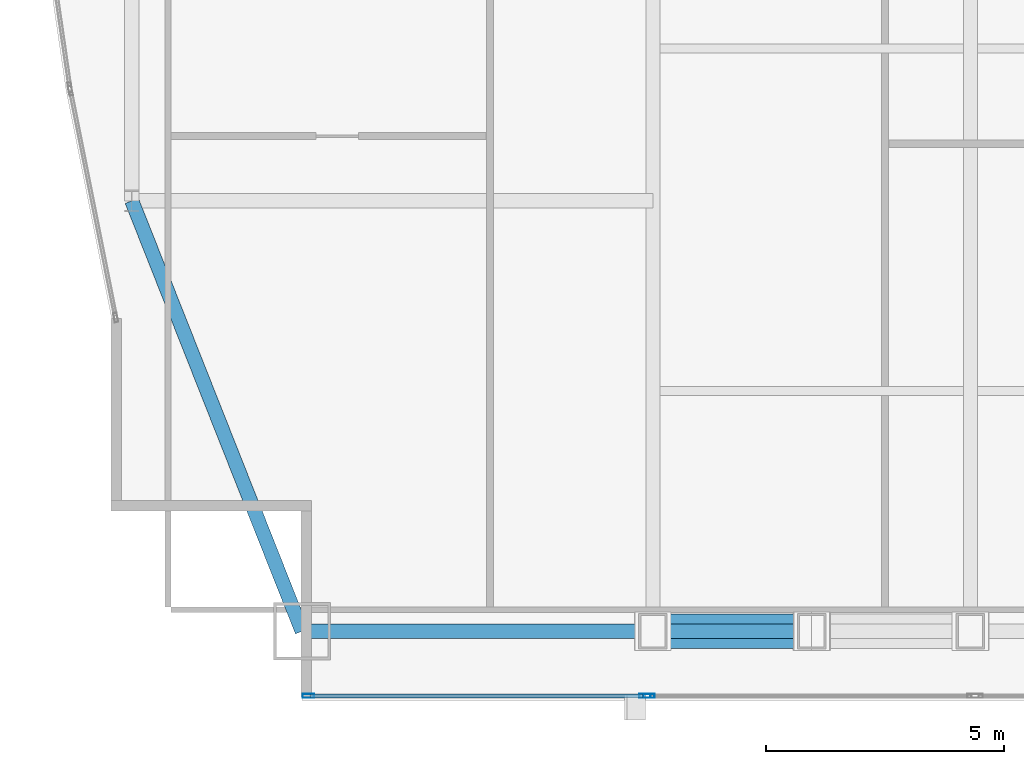
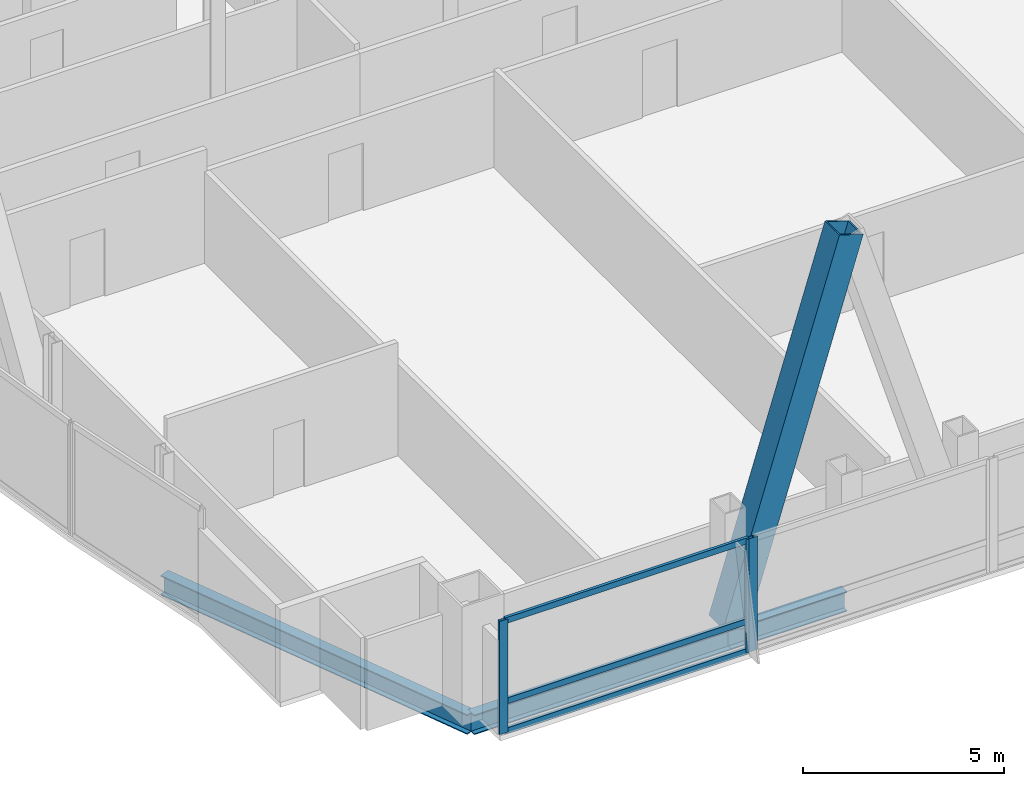
# One storey, part 5 of 32: 7 members, 3 beams, 2 elements without a shape of their own.
"""IFC4 building model written with IfcOpenShell, lengths in metres."""

from ifc_helpers import new_model, si_unit, direction, frame, origin, origin_2d, place, context, subcontext, project, spatial, hollow_rectangle, i_section, extrude, material, material_profile, profile_set, type_object, element, aggregate, save


model = new_model("IFC4")

# Units and contexts
model_context = context("Model", 3, precision=1e-05, world=origin(), true_north=direction((0.0, 1.0)))
body_context = subcontext(model_context, "Body", "Model", "MODEL_VIEW")
ifc_project = project(units=[si_unit("LENGTHUNIT", "METRE"), si_unit("AREAUNIT", "SQUARE_METRE"), si_unit("VOLUMEUNIT", "CUBIC_METRE"), si_unit("PLANEANGLEUNIT", "RADIAN"), si_unit("MASSUNIT", "GRAM", prefix="KILO")], contexts=[model_context])

# Site, building, storey
site_placement = place(None, origin())
site = spatial("IfcSite", under=ifc_project, at=site_placement, CompositionType="ELEMENT")
building_placement = place(site_placement, origin())
building = spatial("IfcBuilding", under=site, at=building_placement, Name="Khoronbel Lancet Exchange", CompositionType="ELEMENT")
storey_placement = place(building_placement, frame((0.0, 0.0, 221.0)))
storey = spatial("IfcBuildingStorey", under=building, at=storey_placement, Name="L56", CompositionType="ELEMENT", Elevation=221.0)

# Beams
ifc_material_1 = material(Name="Steel S355", Category="steel")
ifc_material_profile_1 = material_profile(ifc_material_1, i_section(OverallWidth=0.300048828125, OverallDepth=0.60009765625, WebThickness=0.015380859375, FlangeThickness=0.030029296875, at=origin_2d()), Name="HEB 600")
ifc_profile_set_1 = profile_set([ifc_material_profile_1], Name="Steel S355")
beam_type = type_object("IfcBeamType", Name="BM-BSP2", PredefinedType="SPANDREL", material=ifc_profile_set_1)
beam_1_placement = place(storey_placement, frame((10.85009765625, 10.14990234375, -0.4599609375), z_axis=(1.0, 0.0, 0.0), x_axis=(0.0, 1.0, 0.0)))
element("IfcBeam", 1, at=beam_1_placement, inside=storey, type_object=beam_type, Name="Level L56 perimeter spandrel beam SP01", PredefinedType="SPANDREL", context=body_context, shape_type="SweptSolid", body=[
    extrude(i_section(OverallWidth=0.300048828125, OverallDepth=0.60009765625, WebThickness=0.015380859375, FlangeThickness=0.030029296875, at=origin_2d()), origin(), (0.0, 0.0, 1.0), 7.375),
])
beam_2_placement = place(storey_placement, frame((18.22509765625, 10.14990234375, -0.4599609375), z_axis=(1.0, 0.0, 0.0), x_axis=(0.0, 1.0, 0.0)))
element("IfcBeam", 2, at=beam_2_placement, inside=storey, type_object=beam_type, Name="Level L56 perimeter spandrel beam SP02", PredefinedType="SPANDREL", context=body_context, shape_type="SweptSolid", body=[
    extrude(i_section(OverallWidth=0.300048828125, OverallDepth=0.60009765625, WebThickness=0.015380859375, FlangeThickness=0.030029296875, at=origin_2d()), origin(), (0.0, 0.0, 1.0), 3.33740234375),
])
beam_3_placement = place(storey_placement, frame((7.27001953125, 19.199951171875, -0.4599609375), z_axis=(0.367850095026, -0.92988510451, 0.0), x_axis=(0.92988510451, 0.367850095026, 0.0)))
element("IfcBeam", 3, at=beam_3_placement, inside=storey, type_object=beam_type, Name="Level L56 perimeter spandrel beam SP21", PredefinedType="SPANDREL", context=body_context, shape_type="SweptSolid", body=[
    extrude(i_section(OverallWidth=0.300048828125, OverallDepth=0.60009765625, WebThickness=0.015380859375, FlangeThickness=0.030029296875, at=origin_2d()), origin(), (0.0, 0.0, 1.0), 9.732421875),
])

# Curtain wall, members
ifc_material_2 = material(Name="Low-E Solar Control Insulating Glass", Category="glass")
curtain_wall_type = type_object("IfcCurtainWallType", Name="CW-3", PredefinedType="NOTDEFINED", material=ifc_material_2)
curtain_wall_1_placement = place(storey_placement, origin())
curtain_wall_1 = element("IfcCurtainWall", 4, at=curtain_wall_1_placement, inside=storey, type_object=curtain_wall_type, Name="Unitised curtain wall CW-L56-SWV", PredefinedType="NOTDEFINED")
ifc_material_3 = material(Name="Bronze-Anodised Aluminium 6063-T6", Category="aluminium")
ifc_material_profile_2 = material_profile(ifc_material_3, hollow_rectangle(XDim=0.0849609375, YDim=0.239990234375, WallThickness=0.006103515625, at=origin_2d()), Name="ALU MULLION 85x240")
ifc_profile_set_2 = profile_set([ifc_material_profile_2], Name="Bronze-Anodised Aluminium 6063-T6")
member_type_1 = type_object("IfcMemberType", Name="MEM-CWM1", PredefinedType="MULLION", material=ifc_profile_set_2)
member_1_placement = place(storey_placement, frame((10.982421875, 8.7900390625, 0.0), z_axis=(0.0, 0.0, 1.0), x_axis=(0.0, 1.0, 0.0)))
member_1 = element("IfcMember", 5, at=member_1_placement, type_object=member_type_1, Name="CW3 mullion 1", PredefinedType="MULLION", context=body_context, shape_type="SweptSolid", body=[
    extrude(hollow_rectangle(XDim=0.0849609375, YDim=0.239990234375, WallThickness=0.006103515625, at=origin_2d()), origin(), (0.0, 0.0, 1.0), 3.43994140625),
])
member_2_placement = place(storey_placement, frame((18.0576171875, 8.7900390625, 0.0), z_axis=(0.0, 0.0, 1.0), x_axis=(0.0, 1.0, 0.0)))
member_2 = element("IfcMember", 6, at=member_2_placement, type_object=member_type_1, Name="CW3 mullion 2", PredefinedType="MULLION", context=body_context, shape_type="SweptSolid", body=[
    extrude(hollow_rectangle(XDim=0.0849609375, YDim=0.239990234375, WallThickness=0.006103515625, at=origin_2d()), origin(), (0.0, 0.0, 1.0), 3.43994140625),
])

# Curtain wall, member
curtain_wall_2_placement = place(storey_placement, origin())
curtain_wall_2 = element("IfcCurtainWall", 7, at=curtain_wall_2_placement, inside=storey, type_object=curtain_wall_type, Name="Unitised curtain wall CW-L56-SWB", PredefinedType="NOTDEFINED")
member_3_placement = place(storey_placement, frame((18.142578125, 8.7900390625, 0.0), z_axis=(0.0, 0.0, 1.0), x_axis=(0.0, 1.0, 0.0)))
member_3 = element("IfcMember", 8, at=member_3_placement, type_object=member_type_1, Name="CW3 mullion 1", PredefinedType="MULLION", context=body_context, shape_type="SweptSolid", body=[
    extrude(hollow_rectangle(XDim=0.0849609375, YDim=0.239990234375, WallThickness=0.006103515625, at=origin_2d()), origin(), (0.0, 0.0, 1.0), 3.43994140625),
])
aggregate(curtain_wall_2, [member_3])

# Member
ifc_material_profile_3 = material_profile(ifc_material_3, hollow_rectangle(XDim=0.0849609375, YDim=0.179931640625, WallThickness=0.0048828125, at=origin_2d()), Name="ALU TRANSOM 85x180")
ifc_profile_set_3 = profile_set([ifc_material_profile_3], Name="Bronze-Anodised Aluminium 6063-T6")
member_type_2 = type_object("IfcMemberType", Name="MEM-CWT1", PredefinedType="USERDEFINED", material=ifc_profile_set_3)
member_4_placement = place(storey_placement, frame((11.02490234375, 8.7900390625, 0.04248046875), z_axis=(1.0, 0.0, 0.0), x_axis=(0.0, 1.0, 0.0)))
member_4 = element("IfcMember", 9, at=member_4_placement, type_object=member_type_2, Name="CW3 transom 1.1", ObjectType="TRANSOM", PredefinedType="USERDEFINED", context=body_context, shape_type="SweptSolid", body=[
    extrude(hollow_rectangle(XDim=0.0849609375, YDim=0.179931640625, WallThickness=0.0048828125, at=origin_2d()), origin(), (0.0, 0.0, 1.0), 6.989990234375),
])

member_5_placement = place(storey_placement, frame((11.02490234375, 8.7900390625, 0.949951171875), z_axis=(1.0, 0.0, 0.0), x_axis=(0.0, 1.0, 0.0)))
member_5 = element("IfcMember", 10, at=member_5_placement, type_object=member_type_2, Name="CW3 transom 1.2", ObjectType="TRANSOM", PredefinedType="USERDEFINED", context=body_context, shape_type="SweptSolid", body=[
    extrude(hollow_rectangle(XDim=0.0849609375, YDim=0.179931640625, WallThickness=0.0048828125, at=origin_2d()), origin(), (0.0, 0.0, 1.0), 6.989990234375),
])

member_6_placement = place(storey_placement, frame((11.02490234375, 8.7900390625, 3.3974609375), z_axis=(1.0, 0.0, 0.0), x_axis=(0.0, 1.0, 0.0)))
member_6 = element("IfcMember", 11, at=member_6_placement, type_object=member_type_2, Name="CW3 transom 1.3", ObjectType="TRANSOM", PredefinedType="USERDEFINED", context=body_context, shape_type="SweptSolid", body=[
    extrude(hollow_rectangle(XDim=0.0849609375, YDim=0.179931640625, WallThickness=0.0048828125, at=origin_2d()), origin(), (0.0, 0.0, 1.0), 6.989990234375),
])

aggregate(curtain_wall_1, [member_1, member_2, member_4, member_5, member_6])

ifc_material_4 = material(Name="Steel S460", Category="steel")
ifc_material_profile_4 = material_profile(ifc_material_4, hollow_rectangle(XDim=0.719970703125, YDim=0.719970703125, WallThickness=0.050048828125, at=origin_2d()), Name="BOX 720x720x50")
ifc_profile_set_4 = profile_set([ifc_material_profile_4], Name="Steel S460")
member_type_3 = type_object("IfcMemberType", Name="MEM-MB2", PredefinedType="BRACE", material=ifc_profile_set_4)
member_7_placement = place(storey_placement, frame((18.22509765625, 10.14990234375, 0.0), z_axis=(0.295242108906, 0.0, 0.955422470496), x_axis=(0.0, 1.0, 0.0)))
element("IfcMember", 12, at=member_7_placement, inside=storey, type_object=member_type_3, Name="Perimeter lancet brace tier 19 S-W-L", PredefinedType="BRACE", context=body_context, shape_type="SweptSolid", body=[
    extrude(hollow_rectangle(XDim=0.719970703125, YDim=0.719970703125, WallThickness=0.050048828125, at=origin_2d()), origin(), (0.0, 0.0, 1.0), 11.303955078125),
])

save(model, "model.ifc")
